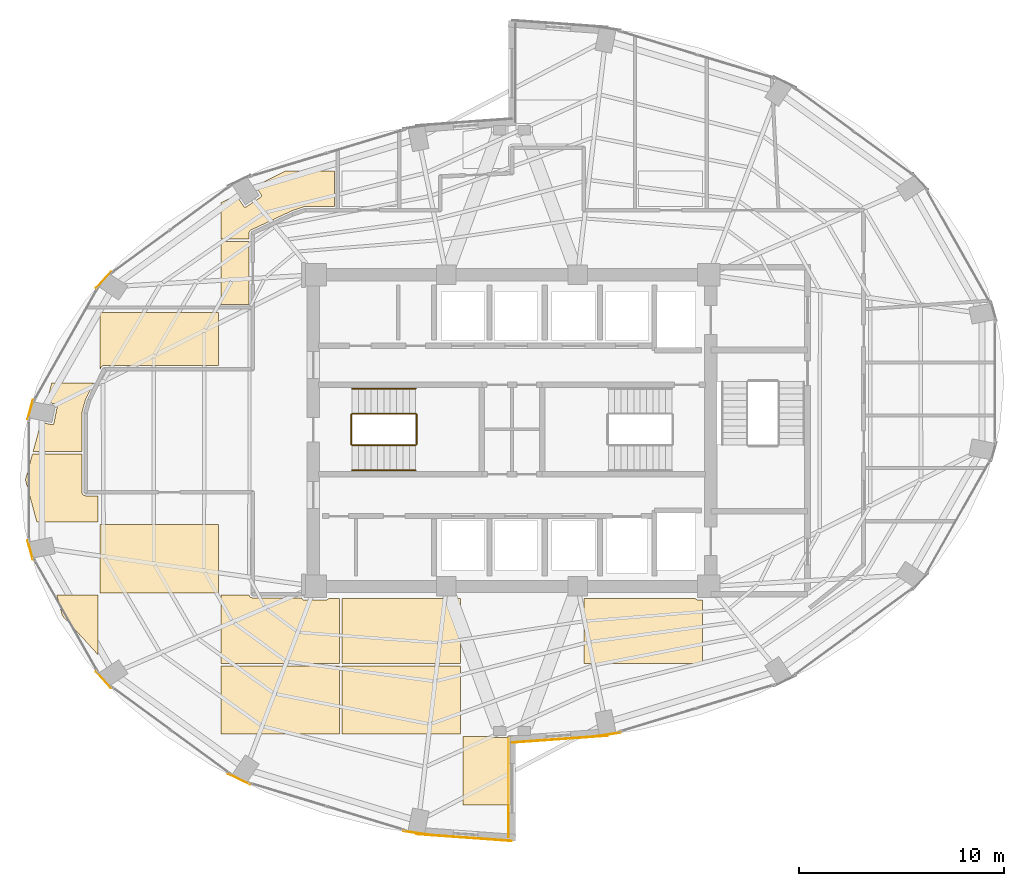
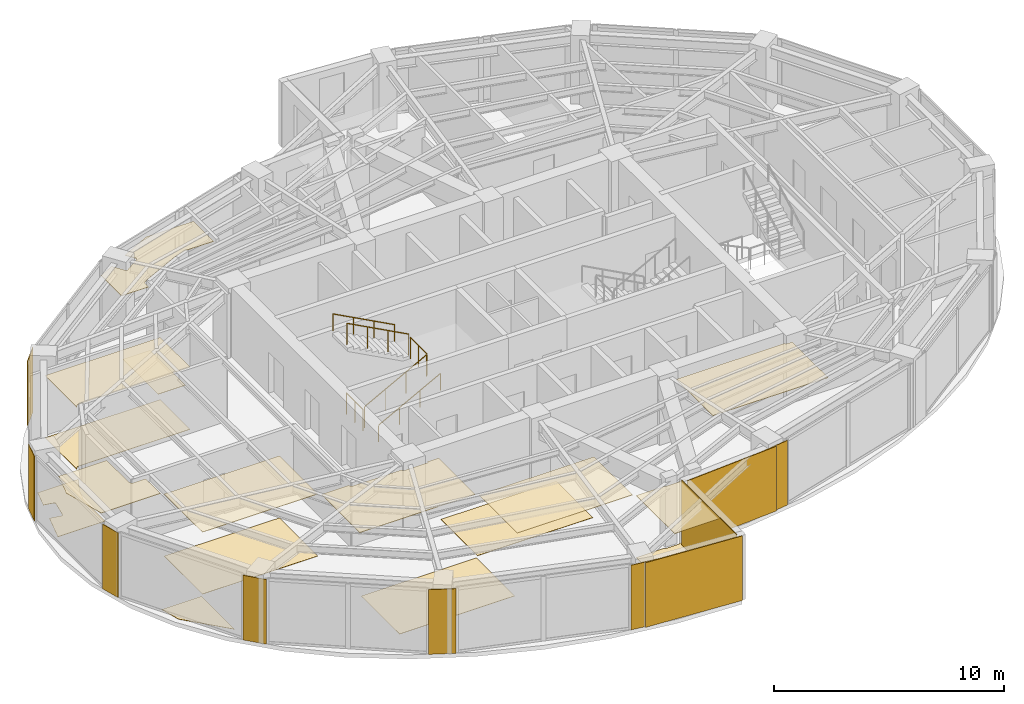
# One storey, part 19 of 20: 26 coverings, 6 railings.
"""IFC4 building model written with IfcOpenShell, lengths in metres."""

from ifc_helpers import new_model, si_unit, direction, frame, origin, origin_2d, place, context, subcontext, project, spatial, polyline, rectangle, circle, outline, extrude, material, layer, layer_set, type_object, element, save


model = new_model("IFC4")

# Units and contexts
model_context = context("Model", 3, precision=1e-05, world=origin(), true_north=direction((0.0, 1.0)))
body_context = subcontext(model_context, "Body", "Model", "MODEL_VIEW")
ifc_project = project(units=[si_unit("LENGTHUNIT", "METRE"), si_unit("AREAUNIT", "SQUARE_METRE"), si_unit("VOLUMEUNIT", "CUBIC_METRE"), si_unit("PLANEANGLEUNIT", "RADIAN"), si_unit("MASSUNIT", "GRAM", prefix="KILO")], contexts=[model_context])

# Site, building, storey
site_placement = place(None, origin())
site = spatial("IfcSite", under=ifc_project, at=site_placement, CompositionType="ELEMENT")
building_placement = place(site_placement, origin())
building = spatial("IfcBuilding", under=site, at=building_placement, Name="Lazwardi Medical Tower", CompositionType="ELEMENT")
storey_placement = place(building_placement, frame((0.0, 0.0, 160.176025390625)))
storey = spatial("IfcBuildingStorey", under=building, at=storey_placement, Name="L41", CompositionType="ELEMENT", Elevation=160.176025390625)

# Coverings
ifc_material_1 = material(Name="Anodised bronze aluminium cassette cladding", Category="aluminium")
ifc_layer_1 = layer(ifc_material_1, 0.030029296875)
ifc_layer_set_1 = layer_set([ifc_layer_1], Name="Anodised bronze aluminium cassette cladding")
covering_type_1 = type_object("IfcCoveringType", Name="COV-CLD-BRZ", PredefinedType="CLADDING", material=ifc_layer_set_1)
covering_1_placement = place(storey_placement, frame((40.67431640625, 13.17578125, 0.0), z_axis=(0.0, 0.0, 1.0), x_axis=(0.989539138138, 0.144264666823, 0.0)))
element("IfcCovering", 1, at=covering_1_placement, inside=storey, type_object=covering_type_1, Name="L41 Mega-column bronze cassette cover M01", PredefinedType="CLADDING", context=body_context, shape_type="SweptSolid", body=[
    extrude(rectangle(XDim=1.28515625, YDim=0.030029296875, at=origin_2d()), origin(), (0.0, 0.0, 1.0), 3.427978515625),
])
covering_2_placement = place(storey_placement, frame((16.07861328125, 35.356689453125, 0.0), z_axis=(0.0, 0.0, 1.0), x_axis=(-0.673714459537, -0.738991763832, 0.0)))
element("IfcCovering", 2, at=covering_2_placement, inside=storey, type_object=covering_type_1, Name="L41 Mega-column bronze cassette cover M11", PredefinedType="CLADDING", context=body_context, shape_type="SweptSolid", body=[
    extrude(rectangle(XDim=1.0693359375, YDim=0.030029296875, at=origin_2d()), origin(), (0.0, 0.0, 1.0), 3.427978515625),
])
for number, where, z_axis, x_axis, name in (
    (3, (12.501220703125, 29.026123046875, 0.0), (0.0, 0.0, 1.0), (-0.261828726257, -0.965114354938, 0.0), "L41 Mega-column bronze cassette cover M12"),
    (4, (12.501220703125, 22.173828125, 0.0), (0.0, 0.0, 1.0), (0.261828726257, -0.965114354938, 0.0), "L41 Mega-column bronze cassette cover M13"),
):
    element("IfcCovering", number, at=place(storey_placement, frame(where, z_axis=z_axis, x_axis=x_axis)), inside=storey, type_object=covering_type_1, Name=name, PredefinedType="CLADDING", context=body_context, shape_type="SweptSolid", body=[
        extrude(rectangle(XDim=0.9658203125, YDim=0.030029296875, at=origin_2d()), origin(), (0.0, 0.0, 1.0), 3.427978515625),
    ])
covering_3_placement = place(storey_placement, frame((16.07861328125, 15.84326171875, 0.0), z_axis=(0.0, 0.0, 1.0), x_axis=(0.673714459537, -0.738991763832, 0.0)))
element("IfcCovering", 5, at=covering_3_placement, inside=storey, type_object=covering_type_1, Name="L41 Mega-column bronze cassette cover M14", PredefinedType="CLADDING", context=body_context, shape_type="SweptSolid", body=[
    extrude(rectangle(XDim=1.0693359375, YDim=0.030029296875, at=origin_2d()), origin(), (0.0, 0.0, 1.0), 3.427978515625),
])
covering_4_placement = place(storey_placement, frame((22.68896484375, 10.998046875, 0.0), z_axis=(0.0, 0.0, 1.0), x_axis=(0.898079014814, -0.439834154144, 0.0)))
element("IfcCovering", 6, at=covering_4_placement, inside=storey, type_object=covering_type_1, Name="L41 Mega-column bronze cassette cover M15", PredefinedType="CLADDING", context=body_context, shape_type="SweptSolid", body=[
    extrude(rectangle(XDim=1.200439453125, YDim=0.030029296875, at=origin_2d()), origin(), (0.0, 0.0, 1.0), 3.427978515625),
])
covering_5_placement = place(storey_placement, frame((31.32568359375, 8.3759765625, 0.0), z_axis=(0.0, 0.0, 1.0), x_axis=(0.989539138138, -0.144264666823, 0.0)))
element("IfcCovering", 7, at=covering_5_placement, inside=storey, type_object=covering_type_1, Name="L41 Mega-column bronze cassette cover M16", PredefinedType="CLADDING", context=body_context, shape_type="SweptSolid", body=[
    extrude(rectangle(XDim=1.28515625, YDim=0.030029296875, at=origin_2d()), origin(), (0.0, 0.0, 1.0), 3.427978515625),
])
ifc_material_2 = material(Name="Turquoise glazed ceramic tilework cladding", Category="masonry")
ifc_layer_2 = layer(ifc_material_2, 0.034912109375)
ifc_layer_set_2 = layer_set([ifc_layer_2], Name="Turquoise glazed ceramic tilework cladding")
covering_type_2 = type_object("IfcCoveringType", Name="COV-CLD-TRQ", PredefinedType="CLADDING", material=ifc_layer_set_2)
covering_6_placement = place(storey_placement, frame((38.338134765625, 12.952392578125, 0.0), z_axis=(0.0, 0.0, 1.0), x_axis=(0.997414510753, 0.071863020663, 0.0)))
element("IfcCovering", 8, at=covering_6_placement, inside=storey, type_object=covering_type_2, Name="L41 Turquoise glazed ceramic tilework cladding", PredefinedType="CLADDING", context=body_context, shape_type="SweptSolid", body=[
    extrude(rectangle(XDim=4.6630859375, YDim=0.034912109375, at=origin_2d()), origin(), (0.0, 0.0, 1.0), 3.427978515625),
])
covering_7_placement = place(storey_placement, frame((33.66162109375, 8.152587890625, 0.0), z_axis=(0.0, 0.0, 1.0), x_axis=(0.997414134466, -0.071868243112, 0.0)))
element("IfcCovering", 9, at=covering_7_placement, inside=storey, type_object=covering_type_2, Name="L41 Turquoise glazed ceramic tilework cladding", PredefinedType="CLADDING", context=body_context, shape_type="SweptSolid", body=[
    extrude(rectangle(XDim=4.66259765625, YDim=0.034912109375, at=origin_2d()), origin(), (0.0, 0.0, 1.0), 3.427978515625),
])
covering_8_placement = place(storey_placement, frame((35.824462890625, 10.56005859375, 0.0), z_axis=(0.0, 0.0, 1.0), x_axis=(0.0, 1.0, 0.0)))
element("IfcCovering", 10, at=covering_8_placement, inside=storey, type_object=covering_type_2, Name="L41 Turquoise glazed ceramic tilework iwan panel", PredefinedType="CLADDING", context=body_context, shape_type="SweptSolid", body=[
    extrude(rectangle(XDim=4.800048828125, YDim=0.034912109375, at=origin_2d()), origin(), (0.0, 0.0, 1.0), 3.427978515625),
])
ifc_material_3 = material(Name="Acoustic mineral fibre tile")
ifc_layer_3 = layer(ifc_material_3, 0.02490234375)
ifc_layer_set_3 = layer_set([ifc_layer_3], Name="Acoustic mineral fibre tile")
covering_type_3 = type_object("IfcCoveringType", Name="COV-CLG-01", PredefinedType="CEILING", material=ifc_layer_set_3)
covering_9_placement = place(storey_placement, frame((0.0, 0.0, 3.282958984375)))
element("IfcCovering", 11, at=covering_9_placement, inside=storey, type_object=covering_type_3, Name="L41 Clinical Acoustic Ceiling 1", PredefinedType="CEILING", context=body_context, shape_type="SweptSolid", body=[
    extrude(outline(polyline([(15.79296875, 24.824951171875), (15.199951171875, 24.824951171875), (15.19580078125, 24.8251953125), (15.186279296875, 24.82568359375), (15.179443359375, 24.826416015625), (15.17041015625, 24.82763671875), (15.161865234375, 24.8291015625), (15.15283203125, 24.83154296875), (15.145751953125, 24.83349609375), (15.136962890625, 24.836669921875), (15.129150390625, 24.840087890625), (15.120849609375, 24.843994140625), (15.114013671875, 24.84765625), (15.10595703125, 24.852294921875), (15.099365234375, 24.85693359375), (15.091796875, 24.862548828125), (15.086181640625, 24.8671875), (15.079345703125, 24.873291015625), (15.0732421875, 24.87939453125), (15.067138671875, 24.88623046875), (15.0625, 24.891845703125), (15.056884765625, 24.8994140625), (15.052490234375, 24.906005859375), (15.047607421875, 24.9140625), (15.0439453125, 24.9208984375), (15.0400390625, 24.92919921875), (15.03662109375, 24.93701171875), (15.03369140625, 24.94580078125), (15.031494140625, 24.952880859375), (15.029296875, 24.9619140625), (15.027587890625, 24.97021484375), (15.0263671875, 24.9794921875), (15.025634765625, 24.986328125), (15.025146484375, 24.99560546875), (15.02490234375, 25.0), (15.02490234375, 26.87255859375), (12.60888671875, 26.87255859375), (12.262939453125, 25.60009765625), (12.822509765625, 23.54248046875), (15.79296875, 23.54248046875), (15.79296875, 24.824951171875)])), origin(), (0.0, 0.0, 1.0), 0.02490234375),
])
covering_10_placement = place(storey_placement, frame((0.0, 0.0, 3.282958984375)))
element("IfcCovering", 12, at=covering_10_placement, inside=storey, type_object=covering_type_3, Name="L41 Clinical Acoustic Ceiling 2", PredefinedType="CEILING", context=body_context, shape_type="SweptSolid", body=[
    extrude(outline(polyline([(21.69287109375, 20.092529296875), (21.69287109375, 23.422607421875), (15.912841796875, 23.422607421875), (15.912841796875, 20.092529296875), (21.69287109375, 20.092529296875)])), origin(), (0.0, 0.0, 1.0), 0.02490234375),
])
covering_11_placement = place(storey_placement, frame((0.0, 0.0, 3.282958984375)))
element("IfcCovering", 13, at=covering_11_placement, inside=storey, type_object=covering_type_3, Name="L41 Clinical Acoustic Ceiling 3", PredefinedType="CEILING", context=body_context, shape_type="SweptSolid", body=[
    extrude(outline(polyline([(15.912841796875, 30.997802734375), (15.950927734375, 31.076416015625), (15.952880859375, 31.080078125), (15.95751953125, 31.088623046875), (15.961669921875, 31.09521484375), (15.96728515625, 31.103271484375), (15.97216796875, 31.109619140625), (15.978271484375, 31.116943359375), (15.98388671875, 31.123046875), (15.990966796875, 31.129638671875), (15.99755859375, 31.135498046875), (16.00537109375, 31.141357421875), (16.0107421875, 31.14501953125), (16.018798828125, 31.150390625), (16.02734375, 31.155029296875), (16.035888671875, 31.1591796875), (16.042724609375, 31.162109375), (16.052001953125, 31.16552734375), (16.059814453125, 31.168212890625), (16.069091796875, 31.17041015625), (16.076904296875, 31.172119140625), (16.08642578125, 31.173583984375), (16.094482421875, 31.17431640625), (16.104248046875, 31.1748046875), (16.1083984375, 31.175048828125), (21.69287109375, 31.175048828125), (21.69287109375, 33.7724609375), (15.912841796875, 33.7724609375), (15.912841796875, 30.997802734375)])), origin(), (0.0, 0.0, 1.0), 0.02490234375),
])
covering_12_placement = place(storey_placement, frame((0.0, 0.0, 3.282958984375)))
element("IfcCovering", 14, at=covering_12_placement, inside=storey, type_object=covering_type_3, Name="L41 Clinical Acoustic Ceiling 4", PredefinedType="CEILING", context=body_context, shape_type="SweptSolid", body=[
    extrude(outline(polyline([(27.593017578125, 19.820068359375), (27.04931640625, 19.820068359375), (27.048583984375, 19.814453125), (27.046630859375, 19.806884765625), (27.0439453125, 19.79931640625), (27.04052734375, 19.792236328125), (27.03662109375, 19.78564453125), (27.03173828125, 19.779296875), (27.026611328125, 19.7734375), (27.020751953125, 19.768310546875), (27.014404296875, 19.763427734375), (27.0078125, 19.759521484375), (27.00048828125, 19.756103515625), (26.9931640625, 19.75341796875), (26.985595703125, 19.75146484375), (26.977783203125, 19.75048828125), (26.969970703125, 19.75), (25.830078125, 19.75), (25.822265625, 19.75048828125), (25.814453125, 19.75146484375), (25.806884765625, 19.75341796875), (25.79931640625, 19.756103515625), (25.792236328125, 19.759521484375), (25.78564453125, 19.763427734375), (25.779296875, 19.768310546875), (25.7734375, 19.7734375), (25.768310546875, 19.779296875), (25.763427734375, 19.78564453125), (25.759521484375, 19.792236328125), (25.756103515625, 19.79931640625), (25.75341796875, 19.806884765625), (25.75146484375, 19.814453125), (25.75048828125, 19.822265625), (25.75, 19.830078125), (25.75, 19.844970703125), (23.35009765625, 19.844970703125), (23.345703125, 19.84521484375), (23.33642578125, 19.845703125), (23.32958984375, 19.84619140625), (23.3203125, 19.84765625), (23.31201171875, 19.84912109375), (23.302734375, 19.8515625), (23.2958984375, 19.853515625), (23.287109375, 19.856689453125), (23.279296875, 19.860107421875), (23.270751953125, 19.864013671875), (23.263916015625, 19.86767578125), (23.256103515625, 19.872314453125), (23.249267578125, 19.876953125), (23.24169921875, 19.882568359375), (23.236083984375, 19.88720703125), (23.229248046875, 19.893310546875), (23.223388671875, 19.8994140625), (23.217041015625, 19.90625), (23.21240234375, 19.911865234375), (23.206787109375, 19.919189453125), (23.202392578125, 19.926025390625), (23.197509765625, 19.93408203125), (23.194091796875, 19.94091796875), (23.18994140625, 19.94921875), (23.186767578125, 19.95703125), (23.18359375, 19.9658203125), (23.181640625, 19.972412109375), (21.81298828125, 19.972412109375), (21.81298828125, 16.642578125), (27.593017578125, 16.642578125), (27.593017578125, 19.820068359375)])), origin(), (0.0, 0.0, 1.0), 0.02490234375),
])
covering_13_placement = place(storey_placement, frame((0.0, 0.0, 3.282958984375)))
element("IfcCovering", 15, at=covering_13_placement, inside=storey, type_object=covering_type_3, Name="L41 Clinical Acoustic Ceiling 5", PredefinedType="CEILING", context=body_context, shape_type="SweptSolid", body=[
    extrude(outline(polyline([(24.976318359375, 40.672607421875), (23.476318359375, 39.939453125), (23.76806640625, 39.5029296875), (23.772216796875, 39.49609375), (23.775390625, 39.489013671875), (23.7783203125, 39.481689453125), (23.780029296875, 39.47412109375), (23.78125, 39.46630859375), (23.781494140625, 39.45849609375), (23.78125, 39.45068359375), (23.780029296875, 39.44287109375), (23.7783203125, 39.435302734375), (23.775390625, 39.427734375), (23.772216796875, 39.420654296875), (23.76806640625, 39.4140625), (23.763427734375, 39.40771484375), (23.75830078125, 39.40185546875), (23.75244140625, 39.396484375), (23.74609375, 39.391845703125), (23.031005859375, 38.9140625), (23.024169921875, 38.909912109375), (23.01708984375, 38.90673828125), (23.009765625, 38.904052734375), (23.002197265625, 38.902099609375), (22.994384765625, 38.90087890625), (22.986572265625, 38.900634765625), (22.978759765625, 38.90087890625), (22.970947265625, 38.902099609375), (22.96337890625, 38.904052734375), (22.955810546875, 38.90673828125), (22.94873046875, 38.909912109375), (22.942138671875, 38.9140625), (22.935791015625, 38.918701171875), (22.929931640625, 38.924072265625), (22.9248046875, 38.929931640625), (22.919921875, 38.936279296875), (22.551513671875, 39.487548828125), (21.81298828125, 39.126708984375), (21.81298828125, 37.342529296875), (23.175048828125, 37.342529296875), (23.175048828125, 37.6337890625), (23.175048828125, 37.637451171875), (23.175537109375, 37.646484375), (23.17626953125, 37.654296875), (23.177490234375, 37.663330078125), (23.178955078125, 37.67041015625), (23.180908203125, 37.67919921875), (23.18310546875, 37.686279296875), (23.18603515625, 37.694580078125), (23.18896484375, 37.7021484375), (23.192626953125, 37.710205078125), (23.19580078125, 37.71630859375), (23.2001953125, 37.72412109375), (23.204345703125, 37.730712890625), (23.20947265625, 37.73828125), (23.214111328125, 37.744140625), (23.219970703125, 37.7509765625), (23.2255859375, 37.7568359375), (23.232177734375, 37.76318359375), (23.2373046875, 37.767578125), (23.244384765625, 37.773193359375), (23.25048828125, 37.77783203125), (23.258056640625, 37.78271484375), (23.26416015625, 37.786376953125), (23.272216796875, 37.79052734375), (23.27587890625, 37.79248046875), (25.245849609375, 38.714111328125), (25.24951171875, 38.7158203125), (25.2587890625, 38.719482421875), (25.262939453125, 38.72119140625), (25.825439453125, 38.915283203125), (25.82958984375, 38.916748046875), (25.83984375, 38.919677734375), (25.848876953125, 38.921630859375), (25.859130859375, 38.92333984375), (25.867431640625, 38.92431640625), (25.8779296875, 38.9248046875), (25.882568359375, 38.925048828125), (27.3349609375, 38.925048828125), (27.3349609375, 40.672607421875), (24.976318359375, 40.672607421875)])), origin(), (0.0, 0.0, 1.0), 0.02490234375),
])
covering_14_placement = place(storey_placement, frame((0.0, 0.0, 3.282958984375)))
element("IfcCovering", 16, at=covering_14_placement, inside=storey, type_object=covering_type_3, Name="L41 Clinical Acoustic Ceiling 6", PredefinedType="CEILING", context=body_context, shape_type="SweptSolid", body=[
    extrude(outline(polyline([(33.492919921875, 13.1923828125), (33.492919921875, 16.5224609375), (27.712890625, 16.5224609375), (27.712890625, 13.1923828125), (33.492919921875, 13.1923828125)])), origin(), (0.0, 0.0, 1.0), 0.02490234375),
])
covering_15_placement = place(storey_placement, frame((0.0, 0.0, 3.282958984375)))
element("IfcCovering", 17, at=covering_15_placement, inside=storey, type_object=covering_type_3, Name="L41 Clinical Acoustic Ceiling 7", PredefinedType="CEILING", context=body_context, shape_type="SweptSolid", body=[
    extrude(outline(polyline([(35.79296875, 13.072509765625), (35.79052734375, 13.0673828125), (35.78662109375, 13.060546875), (35.78173828125, 13.05419921875), (35.776611328125, 13.04833984375), (35.770751953125, 13.043212890625), (35.764404296875, 13.03857421875), (35.7578125, 13.034423828125), (35.75048828125, 13.031005859375), (35.7431640625, 13.0283203125), (35.735595703125, 13.026611328125), (35.727783203125, 13.025390625), (35.719970703125, 13.02490234375), (35.080078125, 13.02490234375), (35.072265625, 13.025390625), (35.064453125, 13.026611328125), (35.056884765625, 13.0283203125), (35.04931640625, 13.031005859375), (35.042236328125, 13.034423828125), (35.03564453125, 13.03857421875), (35.029296875, 13.043212890625), (35.0234375, 13.04833984375), (35.018310546875, 13.05419921875), (35.013427734375, 13.060546875), (35.009521484375, 13.0673828125), (35.007080078125, 13.072509765625), (33.61279296875, 13.072509765625), (33.61279296875, 9.742431640625), (35.919921875, 9.742431640625), (35.919921875, 12.97998046875), (35.92041015625, 12.987548828125), (35.92138671875, 12.9951171875), (35.923095703125, 13.00244140625), (35.92578125, 13.009765625), (35.928955078125, 13.0166015625), (35.9326171875, 13.023193359375), (35.93701171875, 13.029296875), (35.942138671875, 13.03515625), (35.947509765625, 13.040283203125), (35.95361328125, 13.045166015625), (35.9599609375, 13.04931640625), (35.966796875, 13.052734375), (35.9736328125, 13.0556640625), (35.98095703125, 13.0576171875), (35.988525390625, 13.05908203125), (36.080078125, 13.072509765625), (35.79296875, 13.072509765625)])), origin(), (0.0, 0.0, 1.0), 0.02490234375),
])
covering_16_placement = place(storey_placement, frame((0.0, 0.0, 3.282958984375)))
element("IfcCovering", 18, at=covering_16_placement, inside=storey, type_object=covering_type_3, Name="L41 Clinical Acoustic Ceiling 9", PredefinedType="CEILING", context=body_context, shape_type="SweptSolid", body=[
    extrude(outline(polyline([(45.29296875, 19.75), (45.030029296875, 19.75), (45.022216796875, 19.75048828125), (45.014404296875, 19.75146484375), (45.0068359375, 19.75341796875), (44.99951171875, 19.756103515625), (44.9921875, 19.759521484375), (44.985595703125, 19.763427734375), (44.979248046875, 19.768310546875), (44.973388671875, 19.7734375), (44.96826171875, 19.779296875), (44.96337890625, 19.78564453125), (44.95947265625, 19.792236328125), (44.9560546875, 19.79931640625), (44.953369140625, 19.806884765625), (44.951416015625, 19.814453125), (44.95068359375, 19.820068359375), (39.512939453125, 19.820068359375), (39.512939453125, 16.642578125), (45.29296875, 16.642578125), (45.29296875, 19.75)])), origin(), (0.0, 0.0, 1.0), 0.02490234375),
])
ifc_material_4 = material(Name="Anti-static hospital vinyl sheet flooring")
ifc_layer_4 = layer(ifc_material_4, 0.014892578125)
ifc_layer_set_4 = layer_set([ifc_layer_4], Name="Anti-static hospital vinyl sheet flooring")
covering_type_4 = type_object("IfcCoveringType", Name="COV-FLR-01", PredefinedType="FLOORING", material=ifc_layer_set_4)
covering_17_placement = place(storey_placement, origin())
element("IfcCovering", 19, at=covering_17_placement, inside=storey, type_object=covering_type_4, Name="L41 Clinical Vinyl Flooring 1", PredefinedType="FLOORING", context=body_context, shape_type="SweptSolid", body=[
    extrude(outline(polyline([(13.793701171875, 19.972412109375), (14.065185546875, 18.973388671875), (15.79296875, 17.08251953125), (15.79296875, 19.972412109375), (13.793701171875, 19.972412109375)])), origin(), (0.0, 0.0, 1.0), 0.014892578125),
])
covering_18_placement = place(storey_placement, origin())
element("IfcCovering", 20, at=covering_18_placement, inside=storey, type_object=covering_type_4, Name="L41 Clinical Vinyl Flooring 2", PredefinedType="FLOORING", context=body_context, shape_type="SweptSolid", body=[
    extrude(outline(polyline([(13.54736328125, 30.322509765625), (13.293212890625, 29.38818359375), (13.757080078125, 29.2958984375), (13.764892578125, 29.2939453125), (13.772216796875, 29.291259765625), (13.779296875, 29.2880859375), (13.785888671875, 29.283935546875), (13.79248046875, 29.279296875), (13.798095703125, 29.27392578125), (13.803466796875, 29.268310546875), (13.80810546875, 29.26171875), (13.812255859375, 29.255126953125), (13.8154296875, 29.248046875), (13.818115234375, 29.240478515625), (13.820068359375, 29.23291015625), (13.8212890625, 29.22509765625), (13.821533203125, 29.21728515625), (13.8212890625, 29.209716796875), (13.820068359375, 29.201904296875), (13.65234375, 28.3583984375), (13.650390625, 28.3505859375), (13.647705078125, 28.34326171875), (13.644287109375, 28.336181640625), (13.640380859375, 28.32958984375), (13.635498046875, 28.322998046875), (13.63037109375, 28.3173828125), (13.62451171875, 28.31201171875), (13.6181640625, 28.307373046875), (13.611572265625, 28.30322265625), (13.6044921875, 28.300048828125), (13.596923828125, 28.29736328125), (13.58935546875, 28.29541015625), (13.58154296875, 28.294189453125), (13.57373046875, 28.2939453125), (13.56591796875, 28.294189453125), (13.55810546875, 28.29541015625), (13.02490234375, 28.401611328125), (12.6416015625, 26.992431640625), (15.02490234375, 26.992431640625), (15.02490234375, 28.881103515625), (15.025146484375, 28.884765625), (15.025390625, 28.8935546875), (15.026123046875, 28.90087890625), (15.02734375, 28.90966796875), (15.02880859375, 28.91650390625), (15.03076171875, 28.92529296875), (15.031494140625, 28.928955078125), (15.199462890625, 29.519775390625), (15.200439453125, 29.523193359375), (15.203125, 29.531005859375), (15.20556640625, 29.53759765625), (15.208984375, 29.545166015625), (15.210205078125, 29.548095703125), (15.585693359375, 30.322509765625), (13.54736328125, 30.322509765625)])), origin(), (0.0, 0.0, 1.0), 0.014892578125),
])
covering_19_placement = place(storey_placement, origin())
element("IfcCovering", 21, at=covering_19_placement, inside=storey, type_object=covering_type_4, Name="L41 Clinical Vinyl Flooring 3", PredefinedType="FLOORING", context=body_context, shape_type="SweptSolid", body=[
    extrude(outline(polyline([(21.69287109375, 20.092529296875), (21.69287109375, 23.422607421875), (15.912841796875, 23.422607421875), (15.912841796875, 20.092529296875), (21.69287109375, 20.092529296875)])), origin(), (0.0, 0.0, 1.0), 0.014892578125),
])
covering_20_placement = place(storey_placement, origin())
element("IfcCovering", 22, at=covering_20_placement, inside=storey, type_object=covering_type_4, Name="L41 Clinical Vinyl Flooring 4", PredefinedType="FLOORING", context=body_context, shape_type="SweptSolid", body=[
    extrude(outline(polyline([(15.912841796875, 30.997802734375), (15.950927734375, 31.076416015625), (15.952880859375, 31.080078125), (15.95751953125, 31.088623046875), (15.961669921875, 31.09521484375), (15.96728515625, 31.103271484375), (15.97216796875, 31.109619140625), (15.978271484375, 31.116943359375), (15.98388671875, 31.123046875), (15.990966796875, 31.129638671875), (15.99755859375, 31.135498046875), (16.00537109375, 31.141357421875), (16.0107421875, 31.14501953125), (16.018798828125, 31.150390625), (16.02734375, 31.155029296875), (16.035888671875, 31.1591796875), (16.042724609375, 31.162109375), (16.052001953125, 31.16552734375), (16.059814453125, 31.168212890625), (16.069091796875, 31.17041015625), (16.076904296875, 31.172119140625), (16.08642578125, 31.173583984375), (16.094482421875, 31.17431640625), (16.104248046875, 31.1748046875), (16.1083984375, 31.175048828125), (21.69287109375, 31.175048828125), (21.69287109375, 33.7724609375), (15.912841796875, 33.7724609375), (15.912841796875, 30.997802734375)])), origin(), (0.0, 0.0, 1.0), 0.014892578125),
])
covering_21_placement = place(storey_placement, origin())
element("IfcCovering", 23, at=covering_21_placement, inside=storey, type_object=covering_type_4, Name="L41 Clinical Vinyl Flooring 5", PredefinedType="FLOORING", context=body_context, shape_type="SweptSolid", body=[
    extrude(outline(polyline([(27.593017578125, 13.1923828125), (27.593017578125, 16.5224609375), (21.81298828125, 16.5224609375), (21.81298828125, 13.1923828125), (27.593017578125, 13.1923828125)])), origin(), (0.0, 0.0, 1.0), 0.014892578125),
])
covering_22_placement = place(storey_placement, origin())
element("IfcCovering", 24, at=covering_22_placement, inside=storey, type_object=covering_type_4, Name="L41 Clinical Vinyl Flooring 6", PredefinedType="FLOORING", context=body_context, shape_type="SweptSolid", body=[
    extrude(outline(polyline([(21.81298828125, 34.1650390625), (23.175048828125, 34.1650390625), (23.175048828125, 37.222412109375), (21.81298828125, 37.222412109375), (21.81298828125, 34.1650390625)])), origin(), (0.0, 0.0, 1.0), 0.014892578125),
])
covering_23_placement = place(storey_placement, origin())
element("IfcCovering", 25, at=covering_23_placement, inside=storey, type_object=covering_type_4, Name="L41 Clinical Vinyl Flooring 7", PredefinedType="FLOORING", context=body_context, shape_type="SweptSolid", body=[
    extrude(outline(polyline([(33.492919921875, 19.820068359375), (27.712890625, 19.820068359375), (27.712890625, 16.642578125), (33.492919921875, 16.642578125), (33.492919921875, 19.820068359375)])), origin(), (0.0, 0.0, 1.0), 0.014892578125),
])
covering_24_placement = place(storey_placement, origin())
element("IfcCovering", 26, at=covering_24_placement, inside=storey, type_object=covering_type_4, Name="L41 Clinical Vinyl Flooring 9", PredefinedType="FLOORING", context=body_context, shape_type="SweptSolid", body=[
    extrude(outline(polyline([(35.79296875, 13.072509765625), (35.79052734375, 13.0673828125), (35.78662109375, 13.060546875), (35.78173828125, 13.05419921875), (35.776611328125, 13.04833984375), (35.770751953125, 13.043212890625), (35.764404296875, 13.03857421875), (35.7578125, 13.034423828125), (35.75048828125, 13.031005859375), (35.7431640625, 13.0283203125), (35.735595703125, 13.026611328125), (35.727783203125, 13.025390625), (35.719970703125, 13.02490234375), (35.080078125, 13.02490234375), (35.072265625, 13.025390625), (35.064453125, 13.026611328125), (35.056884765625, 13.0283203125), (35.04931640625, 13.031005859375), (35.042236328125, 13.034423828125), (35.03564453125, 13.03857421875), (35.029296875, 13.043212890625), (35.0234375, 13.04833984375), (35.018310546875, 13.05419921875), (35.013427734375, 13.060546875), (35.009521484375, 13.0673828125), (35.007080078125, 13.072509765625), (33.61279296875, 13.072509765625), (33.61279296875, 9.742431640625), (35.919921875, 9.742431640625), (35.919921875, 12.97998046875), (35.92041015625, 12.987548828125), (35.92138671875, 12.9951171875), (35.923095703125, 13.00244140625), (35.92578125, 13.009765625), (35.928955078125, 13.0166015625), (35.9326171875, 13.023193359375), (35.93701171875, 13.029296875), (35.942138671875, 13.03515625), (35.947509765625, 13.040283203125), (35.95361328125, 13.045166015625), (35.9599609375, 13.04931640625), (35.966796875, 13.052734375), (35.9736328125, 13.0556640625), (35.98095703125, 13.0576171875), (35.988525390625, 13.05908203125), (36.080078125, 13.072509765625), (35.79296875, 13.072509765625)])), origin(), (0.0, 0.0, 1.0), 0.014892578125),
])

# Railings
ifc_material_5 = material(Name="Stainless steel Grade 316", Category="steel")
railing_type_1 = type_object("IfcRailingType", Name="RLG-GRD-1150", PredefinedType="GUARDRAIL", material=ifc_material_5)
railing_1_placement = place(storey_placement, frame((28.199951171875, 27.2900390625, 0.165771484375)))
element("IfcRailing", 27, at=railing_1_placement, inside=storey, type_object=railing_type_1, Name="L41 ST1 stair guard 1", PredefinedType="GUARDRAIL", context=body_context, shape_type="SweptSolid", body=[
    extrude(circle(Radius=0.02392578125, at=origin_2d()), frame((0.0, 0.0, 1.1259765625), z_axis=(0.881783298633, 0.0, 0.471654761719), x_axis=(0.0, 1.0, 0.0)), (0.0, 0.0, 1.0), 3.515625),
    extrude(circle(Radius=0.02099609375, at=origin_2d()), origin(), (0.0, 0.0, 1.0), 1.099853515625),
    extrude(circle(Radius=0.02099609375, at=origin_2d()), frame((1.033447265625, 0.0, 0.552734375)), (0.0, 0.0, 1.0), 1.099853515625),
    extrude(circle(Radius=0.02099609375, at=origin_2d()), frame((2.066650390625, 0.0, 1.10546875)), (0.0, 0.0, 1.0), 1.099853515625),
    extrude(circle(Radius=0.02099609375, at=origin_2d()), frame((3.10009765625, 0.0, 1.658203125)), (0.0, 0.0, 1.0), 1.099853515625),
])
railing_2_placement = place(storey_placement, frame((31.35009765625, 27.340087890625, 1.823974609375)))
element("IfcRailing", 28, at=railing_2_placement, inside=storey, type_object=railing_type_1, Name="L41 ST1 stair guard 2", PredefinedType="GUARDRAIL", context=body_context, shape_type="SweptSolid", body=[
    extrude(circle(Radius=0.02392578125, at=origin_2d()), frame((0.0, 0.0, 1.1259765625), z_axis=(0.0, 1.0, 0.0), x_axis=(-1.0, 0.0, 0.0)), (0.0, 0.0, 1.0), 1.43994140625),
    extrude(circle(Radius=0.02099609375, at=origin_2d()), origin(), (0.0, 0.0, 1.0), 1.099853515625),
    extrude(circle(Radius=0.02099609375, at=origin_2d()), frame((0.0, 0.719970703125, 0.0)), (0.0, 0.0, 1.0), 1.099853515625),
    extrude(circle(Radius=0.02099609375, at=origin_2d()), frame((0.0, 1.43994140625, 0.0)), (0.0, 0.0, 1.0), 1.099853515625),
])
railing_3_placement = place(storey_placement, frame((31.300048828125, 28.830078125, 1.98974609375)))
element("IfcRailing", 29, at=railing_3_placement, inside=storey, type_object=railing_type_1, Name="L41 ST1 stair guard 3", PredefinedType="GUARDRAIL", context=body_context, shape_type="SweptSolid", body=[
    extrude(circle(Radius=0.02392578125, at=origin_2d()), frame((0.0, 0.0, 1.1259765625), z_axis=(-0.881783298633, 0.0, 0.471654761719), x_axis=(0.0, -1.0, 0.0)), (0.0, 0.0, 1.0), 3.515625),
    extrude(circle(Radius=0.02099609375, at=origin_2d()), origin(), (0.0, 0.0, 1.0), 1.099853515625),
    extrude(circle(Radius=0.02099609375, at=origin_2d()), frame((-1.033447265625, 0.0, 0.552734375)), (0.0, 0.0, 1.0), 1.099853515625),
    extrude(circle(Radius=0.02099609375, at=origin_2d()), frame((-2.066650390625, 0.0, 1.10546875)), (0.0, 0.0, 1.0), 1.099853515625),
    extrude(circle(Radius=0.02099609375, at=origin_2d()), frame((-3.10009765625, 0.0, 1.658203125)), (0.0, 0.0, 1.0), 1.099853515625),
])
railing_4_placement = place(storey_placement, frame((28.14990234375, 27.340087890625, 0.0)))
element("IfcRailing", 30, at=railing_4_placement, inside=storey, type_object=railing_type_1, Name="L41 ST1 stair guard 4", PredefinedType="GUARDRAIL", context=body_context, shape_type="SweptSolid", body=[
    extrude(circle(Radius=0.02392578125, at=origin_2d()), frame((0.0, 0.0, 1.1259765625), z_axis=(0.0, 1.0, 0.0), x_axis=(-1.0, 0.0, 0.0)), (0.0, 0.0, 1.0), 1.43994140625),
    extrude(circle(Radius=0.02099609375, at=origin_2d()), origin(), (0.0, 0.0, 1.0), 1.099853515625),
    extrude(circle(Radius=0.02099609375, at=origin_2d()), frame((0.0, 0.719970703125, 0.0)), (0.0, 0.0, 1.0), 1.099853515625),
    extrude(circle(Radius=0.02099609375, at=origin_2d()), frame((0.0, 1.43994140625, 0.0)), (0.0, 0.0, 1.0), 1.099853515625),
])
railing_type_2 = type_object("IfcRailingType", Name="RLG-HND-920", PredefinedType="HANDRAIL", material=ifc_material_5)
railing_5_placement = place(storey_placement, frame((28.199951171875, 26.070068359375, 0.165771484375)))
element("IfcRailing", 31, at=railing_5_placement, inside=storey, type_object=railing_type_2, Name="L41 ST1 stair handrail 1", PredefinedType="HANDRAIL", context=body_context, shape_type="SweptSolid", body=[
    extrude(circle(Radius=0.02392578125, at=origin_2d()), frame((0.0, 0.0, 0.8857421875), z_axis=(0.881783298633, 0.0, 0.471654761719), x_axis=(0.0, 1.0, 0.0)), (0.0, 0.0, 1.0), 3.515625),
    extrude(circle(Radius=0.02099609375, at=origin_2d()), origin(), (0.0, 0.0, 1.0), 0.85986328125),
    extrude(circle(Radius=0.02099609375, at=origin_2d()), frame((1.033447265625, 0.0, 0.552734375)), (0.0, 0.0, 1.0), 0.85986328125),
    extrude(circle(Radius=0.02099609375, at=origin_2d()), frame((2.066650390625, 0.0, 1.10546875)), (0.0, 0.0, 1.0), 0.85986328125),
    extrude(circle(Radius=0.02099609375, at=origin_2d()), frame((3.10009765625, 0.0, 1.658203125)), (0.0, 0.0, 1.0), 0.85986328125),
])
railing_6_placement = place(storey_placement, frame((31.300048828125, 30.050048828125, 1.98974609375)))
element("IfcRailing", 32, at=railing_6_placement, inside=storey, type_object=railing_type_2, Name="L41 ST1 stair handrail 2", PredefinedType="HANDRAIL", context=body_context, shape_type="SweptSolid", body=[
    extrude(circle(Radius=0.02392578125, at=origin_2d()), frame((0.0, 0.0, 0.8857421875), z_axis=(-0.881783298633, 0.0, 0.471654761719), x_axis=(0.0, -1.0, 0.0)), (0.0, 0.0, 1.0), 3.515625),
    extrude(circle(Radius=0.02099609375, at=origin_2d()), origin(), (0.0, 0.0, 1.0), 0.85986328125),
    extrude(circle(Radius=0.02099609375, at=origin_2d()), frame((-1.033447265625, 0.0, 0.552734375)), (0.0, 0.0, 1.0), 0.85986328125),
    extrude(circle(Radius=0.02099609375, at=origin_2d()), frame((-2.066650390625, 0.0, 1.10546875)), (0.0, 0.0, 1.0), 0.85986328125),
    extrude(circle(Radius=0.02099609375, at=origin_2d()), frame((-3.10009765625, 0.0, 1.658203125)), (0.0, 0.0, 1.0), 0.85986328125),
])

save(model, "model.ifc")
